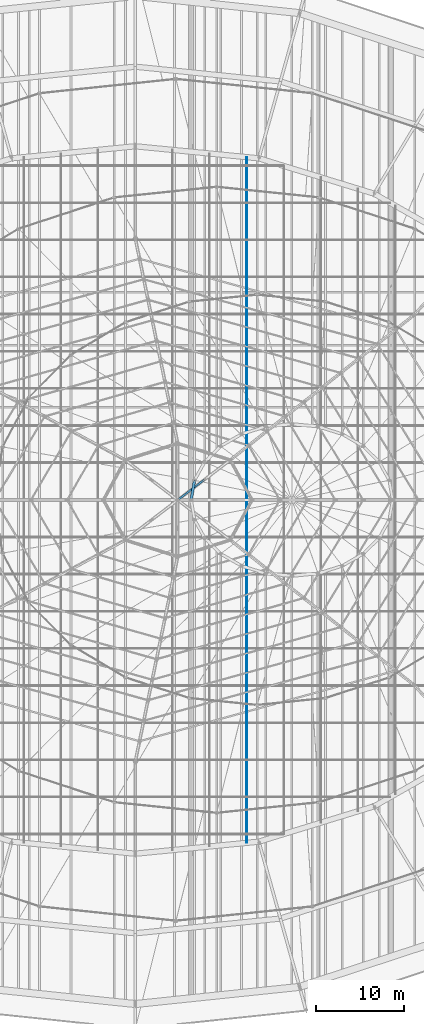
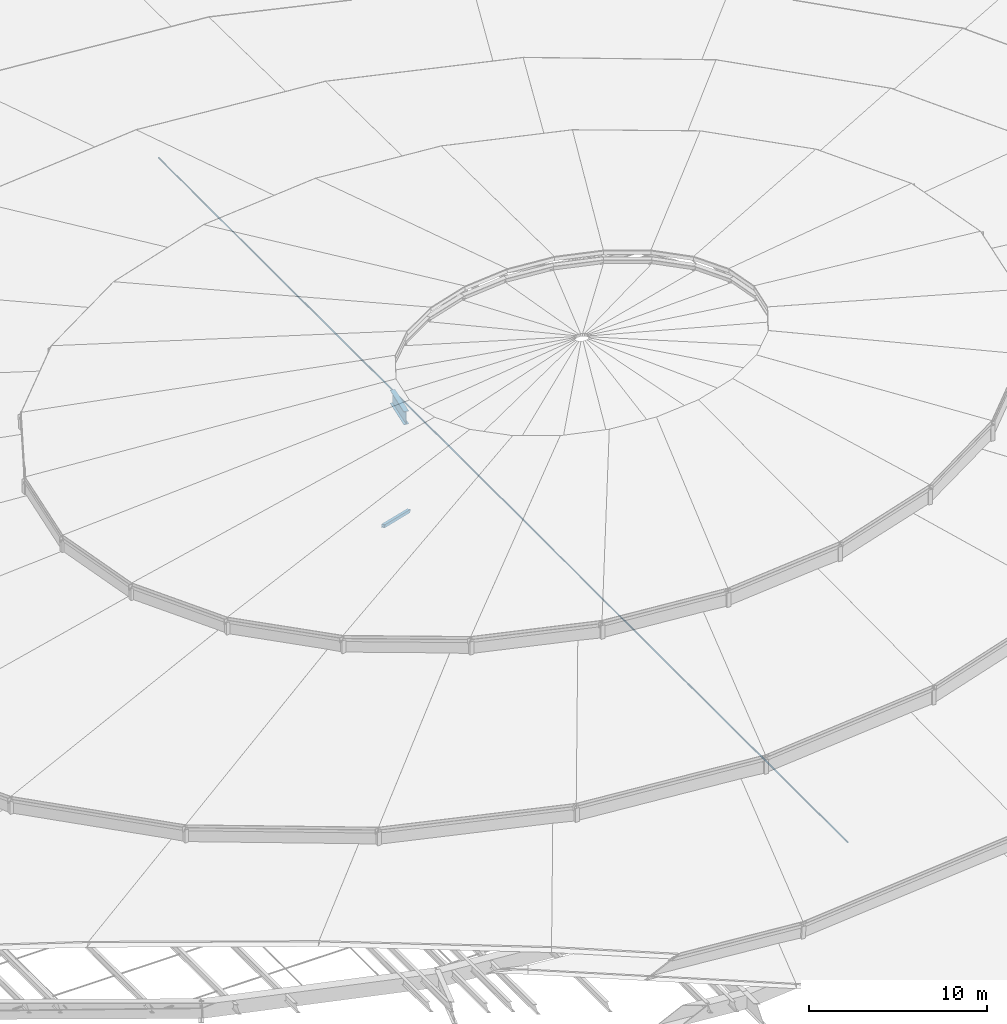
# One storey, part 66 of 184: 2 members, 1 beam.
"""IFC4 building model written with IfcOpenShell, lengths in metres."""

from ifc_helpers import new_model, si_unit, direction, frame, origin, origin_2d, place, context, subcontext, project, spatial, hollow_rectangle, circle, i_section, extrude, material, material_profile, profile_set, type_object, element, save


model = new_model("IFC4")

# Units and contexts
model_context = context("Model", 3, precision=1e-05, world=origin(), true_north=direction((0.0, 1.0)))
body_context = subcontext(model_context, "Body", "Model", "MODEL_VIEW")
ifc_project = project(units=[si_unit("LENGTHUNIT", "METRE"), si_unit("AREAUNIT", "SQUARE_METRE"), si_unit("VOLUMEUNIT", "CUBIC_METRE"), si_unit("PLANEANGLEUNIT", "RADIAN"), si_unit("MASSUNIT", "GRAM", prefix="KILO")], contexts=[model_context])

# Site, building, storey
site_placement = place(None, origin())
site = spatial("IfcSite", under=ifc_project, at=site_placement, CompositionType="ELEMENT")
building_placement = place(site_placement, origin())
building = spatial("IfcBuilding", under=site, at=building_placement, Name="Kalgoora Escarpment Arena", CompositionType="ELEMENT")
storey_placement = place(building_placement, frame((0.0, 0.0, 27.60009765625)))
storey = spatial("IfcBuildingStorey", under=building, at=storey_placement, Name="Roof Level", CompositionType="ELEMENT", Elevation=27.60009765625)

# Beam
ifc_material_1 = material(Name="Structural steel Grade 350 (350 MPa)", Category="steel")
ifc_material_profile_1 = material_profile(ifc_material_1, i_section(OverallWidth=0.300048828125, OverallDepth=0.909912109375, WebThickness=0.011962890625, FlangeThickness=0.028076171875, at=origin_2d()))
ifc_profile_set_1 = profile_set([ifc_material_profile_1], Name="Structural steel Grade 350 (350 MPa)")
beam_type = type_object("IfcBeamType", Name="BM-HUB-RING", PredefinedType="USERDEFINED", material=ifc_profile_set_1)
beam_placement = place(storey_placement, frame((99.098388671875, 66.225830078125, 6.64990234375), z_axis=(-0.171911146532, -0.985112459417, 0.0), x_axis=(0.985112459417, -0.171911146532, 0.0)))
element("IfcBeam", 1, at=beam_placement, inside=storey, type_object=beam_type, Name="Crown oculus tension RING BEAM chord 12", ObjectType="GIRDER", PredefinedType="USERDEFINED", context=body_context, shape_type="SweptSolid", body=[
    extrude(i_section(OverallWidth=0.300048828125, OverallDepth=0.909912109375, WebThickness=0.011962890625, FlangeThickness=0.028076171875, at=origin_2d()), origin(), (0.0, 0.0, 1.0), 2.259521484375),
])

# Members
ifc_material_2 = material(Name="High-tensile spiral strand steel Grade 450 (350 MPa)", Category="steel")
ifc_material_profile_2 = material_profile(ifc_material_2, circle(Radius=0.035888671875, at=origin_2d()))
ifc_profile_set_2 = profile_set([ifc_material_profile_2], Name="High-tensile spiral strand steel Grade 450 (350 MPa)")
member_type_1 = type_object("IfcMemberType", Name="MEM-CABLE-72", PredefinedType="USERDEFINED", material=ifc_profile_set_2)
member_1_placement = place(storey_placement, frame((105.0, 25.228759765625, -1.190185546875), z_axis=(0.0, 1.0, 0.0), x_axis=(-1.0, 0.0, 0.0)))
element("IfcMember", 2, at=member_1_placement, inside=storey, type_object=member_type_1, Name="Roof saddle pretensioning cable Y-33", ObjectType="CABLE", PredefinedType="USERDEFINED", context=body_context, shape_type="SweptSolid", body=[
    extrude(circle(Radius=0.035888671875, at=origin_2d()), origin(), (0.0, 0.0, 1.0), 77.54248046875),
])
ifc_material_3 = material(Name="Structural steel C350 (350 MPa)", Category="steel")
ifc_material_profile_3 = material_profile(ifc_material_3, hollow_rectangle(XDim=0.199951171875, YDim=0.199951171875, WallThickness=0.009033203125, at=origin_2d()))
ifc_profile_set_3 = profile_set([ifc_material_profile_3], Name="Structural steel C350 (350 MPa)")
member_type_2 = type_object("IfcMemberType", Name="MEM-TRUSS-DIAG", PredefinedType="BRACE", material=ifc_profile_set_3)
member_2_placement = place(storey_placement, frame((100.169921875, 66.2626953125, -1.60009765625), z_axis=(-0.748046980047, -0.569905418091, 0.340049305356), x_axis=(0.606019573857, -0.795449731977, 0.0)))
element("IfcMember", 3, at=member_2_placement, inside=storey, type_object=member_type_2, Name="Central ROOF TRUSS hub web diagonal 2-2", PredefinedType="BRACE", context=body_context, shape_type="SweptSolid", body=[
    extrude(hollow_rectangle(XDim=0.199951171875, YDim=0.199951171875, WallThickness=0.009033203125, at=origin_2d()), origin(), (0.0, 0.0, 1.0), 3.97021484375),
])

save(model, "model.ifc")
